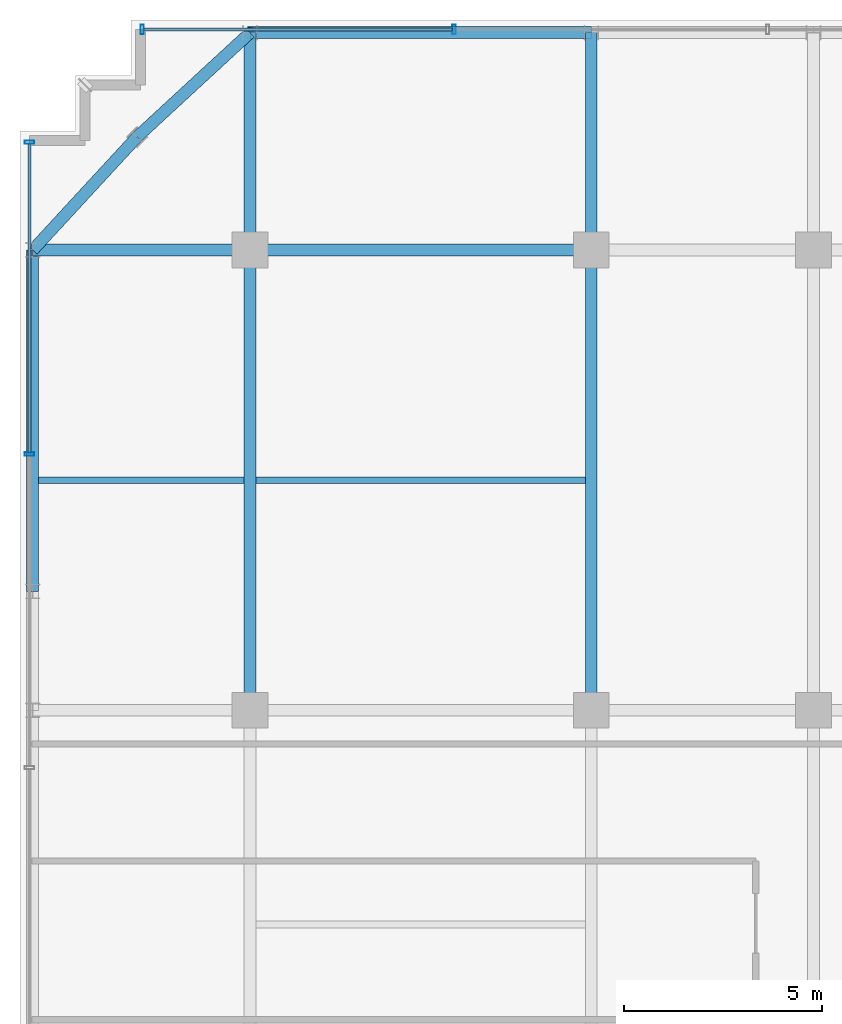
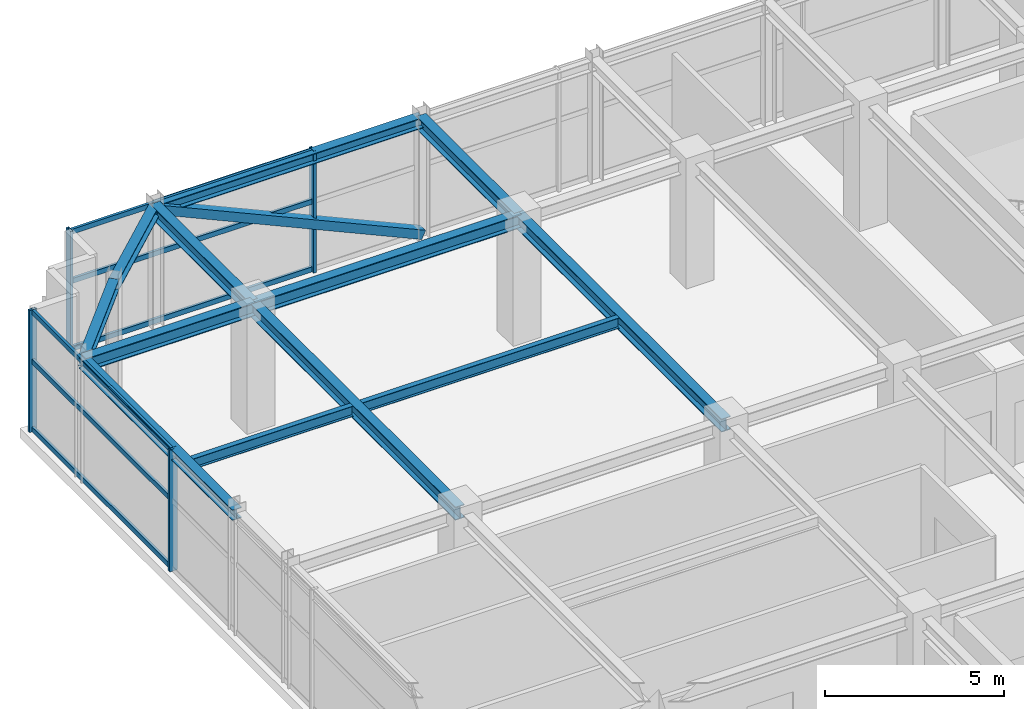
# One storey, part 12 of 26: 12 beams, 11 members, 2 elements without a shape of their own.
"""IFC4 building model written with IfcOpenShell, lengths in metres."""

import ifcopenshell
import ifcopenshell.guid

model = None  # the IFC model being written
_history = None  # IfcOwnerHistory: only IFC2X3 demands one
_inside = {}  # id of a spatial element -> (the spatial element, [elements in it])
_under = {}  # id of a project, library or spatial element -> (it, [spatial elements below it])
_declared = {}  # id of a project -> (the project, [libraries it declares])
_typed = {}  # id of a type object -> (the type object, [elements of that type])
_made_of = {}  # id of a material, layer set ... -> (it, [elements and type objects made of it])


def new_model(schema):
    """Start an empty IFC model of exactly this schema.

    Asked for "IFC4X3", IfcOpenShell would pick the latest addendum, in which some entities
    have other attributes; the version numbers below select the first issue.
    IFC2X3 requires an IfcOwnerHistory on every rooted entity: one is made here for all.
    """
    global model, _history
    if schema == "IFC4X3":
        model = ifcopenshell.file(schema_version=(4, 3, 0, 0))
    else:
        model = ifcopenshell.file(schema=schema)
    _inside.clear()
    _under.clear()
    _declared.clear()
    _typed.clear()
    _made_of.clear()
    _history = None
    if model.schema == "IFC2X3":
        org = make("IfcOrganization", Name="unknown")
        user = make(
            "IfcPersonAndOrganization",
            ThePerson=make("IfcPerson", FamilyName="unknown"),
            TheOrganization=org,
        )
        app = make(
            "IfcApplication",
            ApplicationDeveloper=org,
            Version="unknown",
            ApplicationFullName="unknown",
            ApplicationIdentifier="unknown",
        )
        _history = make(
            "IfcOwnerHistory",
            OwningUser=user,
            OwningApplication=app,
            ChangeAction="ADDED",
            CreationDate=0,
        )
    return model


def make(cls, **values):
    """One entity of the class cls with the attributes given. An attribute that is None is left unset."""
    return model.create_entity(
        cls, **{name: value for name, value in values.items() if value is not None}
    )


def rooted(cls, **values):
    """An entity with a GlobalId (a new one), such as an element, a storey or a relation."""
    return make(cls, GlobalId=ifcopenshell.guid.new(), OwnerHistory=_history, **values)


def si_unit(unit_type, name, prefix=None):
    """IfcSIUnit, for example si_unit("LENGTHUNIT", "METRE", prefix="MILLI")."""
    return make("IfcSIUnit", UnitType=unit_type, Prefix=prefix, Name=name)


def assignment(units):
    """IfcUnitAssignment: the units of a project."""
    return None if units is None else make("IfcUnitAssignment", Units=units)


def point(xyz):
    """IfcCartesianPoint."""
    return None if xyz is None else make("IfcCartesianPoint", Coordinates=xyz)


def direction(xyz):
    """IfcDirection."""
    return None if xyz is None else make("IfcDirection", DirectionRatios=xyz)


def frame(location, z_axis=None, x_axis=None):
    """IfcAxis2Placement3D, a coordinate frame: its origin and axes. An axis left out is left unset."""
    return make(
        "IfcAxis2Placement3D",
        Location=point(location),
        Axis=direction(z_axis),
        RefDirection=direction(x_axis),
    )


def frame_2d(location, x_axis=None):
    """IfcAxis2Placement2D, a coordinate frame in the plane: its origin and x axis."""
    return make(
        "IfcAxis2Placement2D", Location=point(location), RefDirection=direction(x_axis)
    )


def origin():
    """The frame at (0, 0, 0) with its axes left unset."""
    return frame((0.0, 0.0, 0.0))


def origin_2d():
    """The frame at (0, 0) in the plane with its x axis left unset."""
    return frame_2d((0.0, 0.0))


def place(relative_to, where):
    """IfcLocalPlacement: puts the frame where relative to a parent placement (None: the world)."""
    return make(
        "IfcLocalPlacement", PlacementRelTo=relative_to, RelativePlacement=where
    )


def context(
    kind, dimensions, precision=None, world=None, true_north=None, identifier=None
):
    """IfcGeometricRepresentationContext, for example the 3D "Model" context."""
    return make(
        "IfcGeometricRepresentationContext",
        ContextIdentifier=identifier,
        ContextType=kind,
        CoordinateSpaceDimension=dimensions,
        Precision=precision,
        WorldCoordinateSystem=world,
        TrueNorth=true_north,
    )


def subcontext(parent, identifier, kind, view, scale=None):
    """IfcGeometricRepresentationSubContext, for example "Body" below "Model"."""
    return make(
        "IfcGeometricRepresentationSubContext",
        ContextIdentifier=identifier,
        ContextType=kind,
        ParentContext=parent,
        TargetScale=scale,
        TargetView=view,
    )


def project(units=None, contexts=None):
    """IfcProject with its units and contexts."""
    return rooted(
        "IfcProject",
        Name="project",
        RepresentationContexts=contexts,
        UnitsInContext=assignment(units),
    )


def spatial(cls, under=None, at=None, **own):
    """A site, building, storey or space (cls), placed at a placement, below another one or the project."""
    s = rooted(cls, ObjectPlacement=at, **own)
    if under is not None:
        _under.setdefault(under.id(), (under, []))[1].append(s)
    return s


def profile(cls, at=None, kind="AREA", **sizes):
    """A parametric profile (cls). Its sizes go by their IFC names, for example OverallWidth=200.0."""
    return make(cls, ProfileType=kind, Position=at, **sizes)


def hollow_rectangle(**sizes):
    """IfcRectangleHollowProfileDef."""
    return profile("IfcRectangleHollowProfileDef", **sizes)


def i_section(**sizes):
    """IfcIShapeProfileDef."""
    return profile("IfcIShapeProfileDef", **sizes)


def extrude(swept, where, along, depth):
    """IfcExtrudedAreaSolid: the profile swept, set in the frame where, extruded along a direction by depth."""
    return make(
        "IfcExtrudedAreaSolid",
        SweptArea=swept,
        Position=where,
        ExtrudedDirection=direction(along),
        Depth=depth,
    )


def shape(context_of_items, identifier, shape_type, items):
    """IfcShapeRepresentation: the items that make up one representation, for example the "Body"."""
    return make(
        "IfcShapeRepresentation",
        ContextOfItems=context_of_items,
        RepresentationIdentifier=identifier,
        RepresentationType=shape_type,
        Items=items,
    )


def source(mapping_origin, context_of_items, identifier, shape_type, items):
    """IfcRepresentationMap: a shape defined once, which mapped items show again and again."""
    return make(
        "IfcRepresentationMap",
        MappingOrigin=mapping_origin,
        MappedRepresentation=shape(context_of_items, identifier, shape_type, items),
    )


def transform(
    local_origin,
    x_axis=None,
    y_axis=None,
    z_axis=None,
    scale=None,
    scale2=None,
    scale3=None,
    uniform=True,
):
    """IfcCartesianTransformationOperator3D, or its non-uniform kind. x_axis, y_axis, z_axis: its Axis1, 2, 3."""
    if uniform:
        return make(
            "IfcCartesianTransformationOperator3D",
            Axis1=direction(x_axis),
            Axis2=direction(y_axis),
            LocalOrigin=point(local_origin),
            Scale=scale,
            Axis3=direction(z_axis),
        )
    return make(
        "IfcCartesianTransformationOperator3DnonUniform",
        Axis1=direction(x_axis),
        Axis2=direction(y_axis),
        LocalOrigin=point(local_origin),
        Scale=scale,
        Axis3=direction(z_axis),
        Scale2=scale2,
        Scale3=scale3,
    )


def mapped(mapping_source, mapping_target):
    """IfcMappedItem: shows the shape of a source again, moved by a transform."""
    return make(
        "IfcMappedItem", MappingSource=mapping_source, MappingTarget=mapping_target
    )


def material(Name=None, Category=None):
    """IfcMaterial."""
    return make("IfcMaterial", Name=Name, Category=Category)


def material_profile(
    of_material, cross_section, Name=None, Category=None, Priority=None
):
    """IfcMaterialProfile: a cross section and its material."""
    return make(
        "IfcMaterialProfile",
        Name=Name,
        Material=of_material,
        Profile=cross_section,
        Priority=Priority,
        Category=Category,
    )


def profile_set(profiles, Name=None, composite=None):
    """IfcMaterialProfileSet."""
    return make(
        "IfcMaterialProfileSet",
        Name=Name,
        MaterialProfiles=profiles,
        CompositeProfile=composite,
    )


def made_of(thing, what):
    """Note that an element or type object is made of a material, layer set ...; save() writes the relation."""
    if what is not None:
        _made_of.setdefault(what.id(), (what, []))[1].append(thing)
    return thing


def type_object(cls, material=None, **own):
    """A type object (cls), such as IfcWallType, which elements share."""
    return made_of(rooted(cls, **own), material)


def element(
    cls,
    number,
    at=None,
    inside=None,
    cuts=None,
    type_object=None,
    material=None,
    context=None,
    identifier="Body",
    shape_type=None,
    held_by="IfcProductDefinitionShape",
    body=None,
    shapes=None,
    **own,
):
    """One element of the class cls, such as IfcWall. Its Tag is "e" and its number.

    at: its placement. inside: the storey or other place that contains it. cuts: it is an
    opening in that element (IfcRelVoidsElement). A single representation is given by context,
    identifier, shape_type and body (its items); several are given by shapes. held_by: the class
    of the entity that holds the representations. save() writes the other relations.
    """
    e = rooted(cls, Tag="e%d" % number, ObjectPlacement=at, **own)
    if body is not None:
        shapes = [shape(context, identifier, shape_type, body)]
    if shapes is not None:
        e.Representation = make(held_by, Representations=shapes)
    if inside is not None:
        _inside.setdefault(inside.id(), (inside, []))[1].append(e)
    if cuts is not None:
        rooted(
            "IfcRelVoidsElement", RelatingBuildingElement=cuts, RelatedOpeningElement=e
        )
    if type_object is not None:
        _typed.setdefault(type_object.id(), (type_object, []))[1].append(e)
    return made_of(e, material)


def aggregate(whole, parts):
    """IfcRelAggregates: a whole, such as a stair, and the parts it consists of."""
    return rooted("IfcRelAggregates", RelatingObject=whole, RelatedObjects=parts)


def save(model, path):
    """Write the relations noted so far, then the file.

    IfcRelAggregates (storeys below a building ...), IfcRelContainedInSpatialStructure (elements
    in a storey), IfcRelDefinesByType, IfcRelAssociatesMaterial and IfcRelDeclares: one each for
    every whole, place, type object, material and project.
    """
    for whole, parts in _under.values():
        aggregate(whole, parts)
    for where, things in _inside.values():
        rooted(
            "IfcRelContainedInSpatialStructure",
            RelatedElements=things,
            RelatingStructure=where,
        )
    for kind, things in _typed.values():
        rooted("IfcRelDefinesByType", RelatedObjects=things, RelatingType=kind)
    for what, things in _made_of.values():
        rooted("IfcRelAssociatesMaterial", RelatedObjects=things, RelatingMaterial=what)
    for by, libraries in _declared.values():
        rooted("IfcRelDeclares", RelatingContext=by, RelatedDefinitions=libraries)
    model.write(path)


model = new_model("IFC4")

# Units and contexts
model_context = context("Model", 3, precision=1e-05, world=origin(), true_north=direction((0.0, 1.0)))
body_context = subcontext(model_context, "Body", "Model", "MODEL_VIEW")
ifc_project = project(units=[si_unit("LENGTHUNIT", "METRE"), si_unit("AREAUNIT", "SQUARE_METRE"), si_unit("VOLUMEUNIT", "CUBIC_METRE"), si_unit("PLANEANGLEUNIT", "RADIAN"), si_unit("MASSUNIT", "GRAM", prefix="KILO")], contexts=[model_context])

# Site, building, storey
site_placement = place(None, origin())
site = spatial("IfcSite", under=ifc_project, at=site_placement, CompositionType="ELEMENT")
building_placement = place(site_placement, origin())
building = spatial("IfcBuilding", under=site, at=building_placement, Name="Nahalor Promenade Grand Hotel", CompositionType="ELEMENT")
storey_placement = place(building_placement, frame((0.0, 0.0, 343.050048828125)))
storey = spatial("IfcBuildingStorey", under=building, at=storey_placement, Name="L88", CompositionType="ELEMENT", Elevation=343.050048828125)

# Beams
ifc_material_1 = material(Name="Steel S355JR", Category="steel")
ifc_material_profile_1 = material_profile(ifc_material_1, i_section(OverallWidth=0.3, OverallDepth=0.45, WebThickness=0.014, FlangeThickness=0.026, at=origin_2d()), Name="HEB 450")
ifc_profile_set_1 = profile_set([ifc_material_profile_1], Name="Steel S355JR")
beam_type_1 = type_object("IfcBeamType", Name="Beam-Girder-HEB450", PredefinedType="BEAM", material=ifc_profile_set_1)
shared_shape_1 = source(origin(), body_context, "Body", "SweptSolid", [
    extrude(i_section(OverallWidth=0.3, OverallDepth=0.45, WebThickness=0.014, FlangeThickness=0.026, at=origin_2d()), origin(), (0.0, 0.0, 1.0), 8.60009765625),
])
beam_1_placement = place(storey_placement, frame((-17.0, 17.0, 3.945068359375), z_axis=(1.0, 0.0, 0.0), x_axis=(0.0, 1.0, 0.0)))
element("IfcBeam", 1, at=beam_1_placement, inside=storey, type_object=beam_type_1, Name="BM-L88-GX-3-1", PredefinedType="BEAM", context=body_context, shape_type="MappedRepresentation", body=[
    mapped(shared_shape_1, transform((0.0, 0.0, 0.0), scale=1.0)),
])
shared_shape_2 = source(origin(), body_context, "Body", "SweptSolid", [
    extrude(i_section(OverallWidth=0.3, OverallDepth=0.45, WebThickness=0.014, FlangeThickness=0.026, at=origin_2d()), origin(), (0.0, 0.0, 1.0), 11.60009765625),
])
for number, where, z_axis, x_axis, name in (
    (2, (-17.0, 5.39990234375, 3.945068359375), (0.0, 1.0, 0.0), (-1.0, 0.0, 0.0), "BM-L88-GY-0-3"),
    (3, (-8.39990234375, 5.39990234375, 3.945068359375), (0.0, 1.0, 0.0), (-1.0, 0.0, 0.0), "BM-L88-GY-1-3"),
):
    element("IfcBeam", number, at=place(storey_placement, frame(where, z_axis=z_axis, x_axis=x_axis)), inside=storey, type_object=beam_type_1, Name=name, PredefinedType="BEAM", context=body_context, shape_type="MappedRepresentation", body=[
        mapped(shared_shape_2, transform((0.0, 0.0, 0.0), scale=1.0)),
    ])
shared_shape_3 = source(origin(), body_context, "Body", "SweptSolid", [
    extrude(i_section(OverallWidth=0.3, OverallDepth=0.45, WebThickness=0.014, FlangeThickness=0.026, at=origin_2d()), origin(), (0.0, 0.0, 1.0), 5.47998046875),
])
for number, where, z_axis, x_axis, name in (
    (4, (-22.47998046875, 17.0, 3.945068359375), (1.0, 0.0, 0.0), (0.0, 1.0, 0.0), "BM-L88-GX-3-0"),
    (5, (-17.0, 17.0, 3.945068359375), (0.0, 1.0, 0.0), (-1.0, 0.0, 0.0), "BM-L88-GY-0-4"),
    (6, (-8.39990234375, 17.0, 3.945068359375), (0.0, 1.0, 0.0), (-1.0, 0.0, 0.0), "BM-L88-GY-1-4"),
):
    element("IfcBeam", number, at=place(storey_placement, frame(where, z_axis=z_axis, x_axis=x_axis)), inside=storey, type_object=beam_type_1, Name=name, PredefinedType="BEAM", context=body_context, shape_type="MappedRepresentation", body=[
        mapped(shared_shape_3, transform((0.0, 0.0, 0.0), scale=1.0)),
    ])
ifc_material_profile_2 = material_profile(ifc_material_1, i_section(OverallWidth=0.3, OverallDepth=0.36, WebThickness=0.0125, FlangeThickness=0.0225, at=origin_2d()), Name="HEB 360")
ifc_profile_set_2 = profile_set([ifc_material_profile_2], Name="Steel S355JR")
beam_type_2 = type_object("IfcBeamType", Name="Beam-Spandrel-HEB360", PredefinedType="SPANDREL", material=ifc_profile_set_2)
shared_shape_4 = source(origin(), body_context, "Body", "SweptSolid", [
    extrude(i_section(OverallWidth=0.3, OverallDepth=0.36, WebThickness=0.0125, FlangeThickness=0.0225, at=origin_2d()), origin(), (0.0, 0.0, 1.0), 8.60009765625),
])
for number, where, z_axis, x_axis, name in (
    (7, (-17.0, 22.47998046875, 3.989990234375), (1.0, 0.0, 0.0), (0.0, 1.0, 0.0), "BM-L88-SP-N-0"),
    (8, (-22.47998046875, 8.39990234375, 3.989990234375), (0.0, 1.0, 0.0), (-1.0, 0.0, 0.0), "BM-L88-SP-W-4"),
):
    element("IfcBeam", number, at=place(storey_placement, frame(where, z_axis=z_axis, x_axis=x_axis)), inside=storey, type_object=beam_type_2, Name=name, PredefinedType="SPANDREL", context=body_context, shape_type="MappedRepresentation", body=[
        mapped(shared_shape_4, transform((0.0, 0.0, 0.0), scale=1.0)),
    ])
shared_shape_5 = source(origin(), body_context, "Body", "SweptSolid", [
    extrude(i_section(OverallWidth=0.3, OverallDepth=0.36, WebThickness=0.0125, FlangeThickness=0.0225, at=origin_2d()), origin(), (0.0, 0.0, 1.0), 3.878173828125),
])
for number, where, z_axis, x_axis, name in (
    (9, (-17.0, 22.47998046875, 3.989990234375), (-0.73492893846, -0.678144125843, 0.0), (0.678144125843, -0.73492893846, 0.0), "BM-L88-SPC-NW-1"),
    (10, (-19.85009765625, 19.85009765625, 3.989990234375), (-0.678144125843, -0.73492893846, 0.0), (0.73492893846, -0.678144125843, 0.0), "BM-L88-SPC-NW-2"),
):
    element("IfcBeam", number, at=place(storey_placement, frame(where, z_axis=z_axis, x_axis=x_axis)), inside=storey, type_object=beam_type_2, Name=name, PredefinedType="SPANDREL", context=body_context, shape_type="MappedRepresentation", body=[
        mapped(shared_shape_5, transform((0.0, 0.0, 0.0), scale=1.0)),
    ])
ifc_material_profile_3 = material_profile(ifc_material_1, i_section(OverallWidth=0.17, OverallDepth=0.36, WebThickness=0.008, FlangeThickness=0.0127, at=origin_2d()), Name="IPE 360")
ifc_profile_set_3 = profile_set([ifc_material_profile_3], Name="Steel S355JR")
beam_type_3 = type_object("IfcBeamType", Name="Beam-Joist-IPE360", PredefinedType="JOIST", material=ifc_profile_set_3)
shared_shape_6 = source(origin(), body_context, "Body", "SweptSolid", [
    extrude(i_section(OverallWidth=0.17, OverallDepth=0.36, WebThickness=0.008, FlangeThickness=0.0127, at=origin_2d()), origin(), (0.0, 0.0, 1.0), 5.18017578125),
])
beam_2_placement = place(storey_placement, frame((-22.330078125, 11.199951171875, 3.989990234375), z_axis=(1.0, 0.0, 0.0), x_axis=(0.0, 1.0, 0.0)))
element("IfcBeam", 11, at=beam_2_placement, inside=storey, type_object=beam_type_3, Name="BM-L88-JSW-1-0", PredefinedType="JOIST", context=body_context, shape_type="MappedRepresentation", body=[
    mapped(shared_shape_6, transform((0.0, 0.0, 0.0), scale=1.0)),
])
shared_shape_7 = source(origin(), body_context, "Body", "SweptSolid", [
    extrude(i_section(OverallWidth=0.17, OverallDepth=0.36, WebThickness=0.008, FlangeThickness=0.0127, at=origin_2d()), origin(), (0.0, 0.0, 1.0), 8.300048828125),
])
beam_3_placement = place(storey_placement, frame((-16.85009765625, 11.199951171875, 3.989990234375), z_axis=(1.0, 0.0, 0.0), x_axis=(0.0, 1.0, 0.0)))
element("IfcBeam", 12, at=beam_3_placement, inside=storey, type_object=beam_type_3, Name="BM-L88-JSW-1-1", PredefinedType="JOIST", context=body_context, shape_type="MappedRepresentation", body=[
    mapped(shared_shape_7, transform((0.0, 0.0, 0.0), scale=1.0)),
])

# Member
ifc_material_profile_4 = material_profile(ifc_material_1, hollow_rectangle(XDim=0.3, YDim=0.3, WallThickness=0.016, at=origin_2d()), Name="SHS 300x300x16")
ifc_profile_set_4 = profile_set([ifc_material_profile_4], Name="Steel S355JR")
member_type_1 = type_object("IfcMemberType", Name="Mem-CrownBrace-SHS300", PredefinedType="BRACE", material=ifc_profile_set_4)
shared_shape_8 = source(origin(), body_context, "Body", "SweptSolid", [
    extrude(hollow_rectangle(XDim=0.3, YDim=0.3, WallThickness=0.016, at=origin_2d()), origin(), (0.0, 0.0, 1.0), 9.4306640625),
])
member_1_placement = place(storey_placement, frame((-8.39990234375, 22.47998046875, 0.14990234375), z_axis=(-0.911918598846, 0.0, 0.410371135778), x_axis=(0.0, -1.0, 0.0)))
element("IfcMember", 13, at=member_1_placement, inside=storey, type_object=member_type_1, Name="EXO-L88-N-0", PredefinedType="BRACE", context=body_context, shape_type="MappedRepresentation", body=[
    mapped(shared_shape_8, transform((0.0, 0.0, 0.0), scale=1.0)),
])

# Curtain wall, members
ifc_material_2 = material(Name="Anodised Bronze Aluminium EN AW-6063 T6", Category="aluminium")
curtain_wall_type = type_object("IfcCurtainWallType", Name="CW5 Sky-Lobby & Observation Panoramic Curtain Wall", PredefinedType="USERDEFINED", material=ifc_material_2)
curtain_wall_1_placement = place(storey_placement, origin())
curtain_wall_1 = element("IfcCurtainWall", 14, at=curtain_wall_1_placement, inside=storey, type_object=curtain_wall_type, Name="L88 Curtain Wall CW-L88-N-1", ObjectType="UNITISED_CURTAIN_WALL", PredefinedType="USERDEFINED")
ifc_material_profile_5 = material_profile(ifc_material_2, hollow_rectangle(XDim=0.085, YDim=0.25, WallThickness=0.006, at=origin_2d()), Name="CWM 85x250x6")
ifc_profile_set_5 = profile_set([ifc_material_profile_5], Name="Anodised Bronze Aluminium EN AW-6063 T6")
member_type_2 = type_object("IfcMemberType", Name="CWM5 Panoramic Deep Mullion 85x250", PredefinedType="MULLION", material=ifc_profile_set_5)
shared_shape_9 = source(origin(), body_context, "Body", "SweptSolid", [
    extrude(hollow_rectangle(XDim=0.085, YDim=0.25, WallThickness=0.006, at=origin_2d()), origin(), (0.0, 0.0, 1.0), 4.169921875),
])
member_2_placement = place(storey_placement, frame((-19.717529296875, 22.56005859375, 0.0), z_axis=(0.0, 0.0, 1.0), x_axis=(1.0, 0.0, 0.0)))
member_2 = element("IfcMember", 15, at=member_2_placement, type_object=member_type_2, Name="CW-L88-N-1 Mullion 0", PredefinedType="MULLION", context=body_context, shape_type="MappedRepresentation", body=[
    mapped(shared_shape_9, transform((0.0, 0.0, 0.0), scale=1.0)),
])
member_3_placement = place(storey_placement, frame((-11.85595703125, 22.56005859375, 0.0), z_axis=(0.0, 0.0, 1.0), x_axis=(1.0, 0.0, 0.0)))
member_3 = element("IfcMember", 16, at=member_3_placement, type_object=member_type_2, Name="CW-L88-N-1 Mullion 1", PredefinedType="MULLION", context=body_context, shape_type="MappedRepresentation", body=[
    mapped(shared_shape_9, transform((0.0, 0.0, 0.0), scale=1.0)),
])

curtain_wall_2_placement = place(storey_placement, origin())
curtain_wall_2 = element("IfcCurtainWall", 17, at=curtain_wall_2_placement, inside=storey, type_object=curtain_wall_type, Name="L88 Curtain Wall CW-L88-W-1", ObjectType="UNITISED_CURTAIN_WALL", PredefinedType="USERDEFINED")
member_4_placement = place(storey_placement, frame((-22.56005859375, 11.85595703125, 0.0), z_axis=(0.0, 0.0, 1.0), x_axis=(0.0, 1.0, 0.0)))
member_4 = element("IfcMember", 18, at=member_4_placement, type_object=member_type_2, Name="CW-L88-W-1 Mullion 4", PredefinedType="MULLION", context=body_context, shape_type="MappedRepresentation", body=[
    mapped(shared_shape_9, transform((0.0, 0.0, 0.0), scale=1.0)),
])
member_5_placement = place(storey_placement, frame((-22.56005859375, 19.717529296875, 0.0), z_axis=(0.0, 0.0, 1.0), x_axis=(0.0, 1.0, 0.0)))
member_5 = element("IfcMember", 19, at=member_5_placement, type_object=member_type_2, Name="CW-L88-W-1 Mullion 5", PredefinedType="MULLION", context=body_context, shape_type="MappedRepresentation", body=[
    mapped(shared_shape_9, transform((0.0, 0.0, 0.0), scale=1.0)),
])

# Member
ifc_material_profile_6 = material_profile(ifc_material_2, hollow_rectangle(XDim=0.085, YDim=0.17, WallThickness=0.005, at=origin_2d()), Name="CWT 85x170x5")
ifc_profile_set_6 = profile_set([ifc_material_profile_6], Name="Anodised Bronze Aluminium EN AW-6063 T6")
member_type_3 = type_object("IfcMemberType", Name="CWT5 Panoramic Transom 85x170", PredefinedType="USERDEFINED", material=ifc_profile_set_6)
shared_shape_10 = source(origin(), body_context, "Body", "SweptSolid", [
    extrude(hollow_rectangle(XDim=0.085, YDim=0.17, WallThickness=0.005, at=origin_2d()), origin(), (0.0, 0.0, 1.0), 7.776611328125),
])
member_6_placement = place(storey_placement, frame((-19.675048828125, 22.56005859375, 0.0849609375), z_axis=(1.0, 0.0, 0.0), x_axis=(0.0, 1.0, 0.0)))
member_6 = element("IfcMember", 20, at=member_6_placement, type_object=member_type_3, Name="CW-L88-N-1 Transom 0-0", ObjectType="TRANSOM", PredefinedType="USERDEFINED", context=body_context, shape_type="MappedRepresentation", body=[
    mapped(shared_shape_10, transform((0.0, 0.0, 0.0), scale=1.0)),
])

member_7_placement = place(storey_placement, frame((-19.675048828125, 22.56005859375, 2.39990234375), z_axis=(1.0, 0.0, 0.0), x_axis=(0.0, 1.0, 0.0)))
member_7 = element("IfcMember", 21, at=member_7_placement, type_object=member_type_3, Name="CW-L88-N-1 Transom 0-1", ObjectType="TRANSOM", PredefinedType="USERDEFINED", context=body_context, shape_type="MappedRepresentation", body=[
    mapped(shared_shape_10, transform((0.0, 0.0, 0.0), scale=1.0)),
])

member_8_placement = place(storey_placement, frame((-19.675048828125, 22.56005859375, 4.0849609375), z_axis=(1.0, 0.0, 0.0), x_axis=(0.0, 1.0, 0.0)))
member_8 = element("IfcMember", 22, at=member_8_placement, type_object=member_type_3, Name="CW-L88-N-1 Transom 0-2", ObjectType="TRANSOM", PredefinedType="USERDEFINED", context=body_context, shape_type="MappedRepresentation", body=[
    mapped(shared_shape_10, transform((0.0, 0.0, 0.0), scale=1.0)),
])

aggregate(curtain_wall_1, [member_2, member_3, member_6, member_7, member_8])

member_9_placement = place(storey_placement, frame((-22.56005859375, 11.8984375, 0.0849609375), z_axis=(0.0, 1.0, 0.0), x_axis=(-1.0, 0.0, 0.0)))
member_9 = element("IfcMember", 23, at=member_9_placement, type_object=member_type_3, Name="CW-L88-W-1 Transom 4-0", ObjectType="TRANSOM", PredefinedType="USERDEFINED", context=body_context, shape_type="MappedRepresentation", body=[
    mapped(shared_shape_10, transform((0.0, 0.0, 0.0), scale=1.0)),
])

member_10_placement = place(storey_placement, frame((-22.56005859375, 11.8984375, 2.39990234375), z_axis=(0.0, 1.0, 0.0), x_axis=(-1.0, 0.0, 0.0)))
member_10 = element("IfcMember", 24, at=member_10_placement, type_object=member_type_3, Name="CW-L88-W-1 Transom 4-1", ObjectType="TRANSOM", PredefinedType="USERDEFINED", context=body_context, shape_type="MappedRepresentation", body=[
    mapped(shared_shape_10, transform((0.0, 0.0, 0.0), scale=1.0)),
])

member_11_placement = place(storey_placement, frame((-22.56005859375, 11.8984375, 4.0849609375), z_axis=(0.0, 1.0, 0.0), x_axis=(-1.0, 0.0, 0.0)))
member_11 = element("IfcMember", 25, at=member_11_placement, type_object=member_type_3, Name="CW-L88-W-1 Transom 4-2", ObjectType="TRANSOM", PredefinedType="USERDEFINED", context=body_context, shape_type="MappedRepresentation", body=[
    mapped(shared_shape_10, transform((0.0, 0.0, 0.0), scale=1.0)),
])

aggregate(curtain_wall_2, [member_4, member_5, member_9, member_10, member_11])

save(model, "model.ifc")
